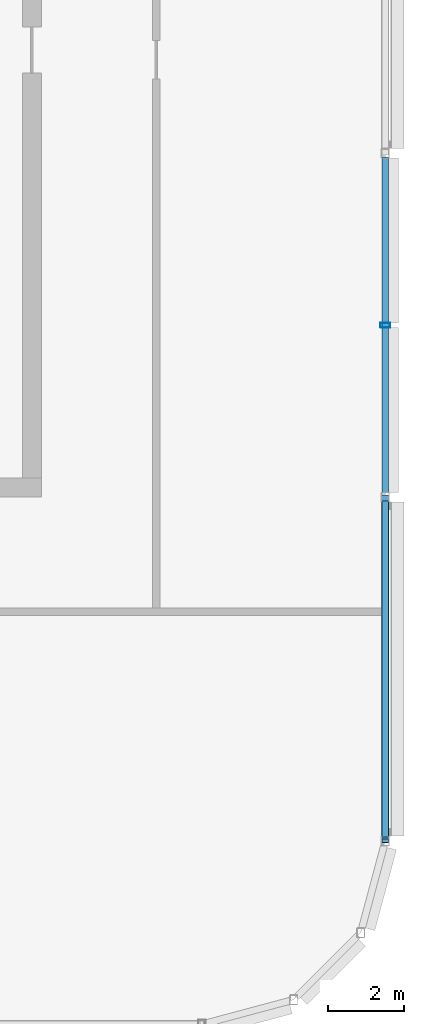
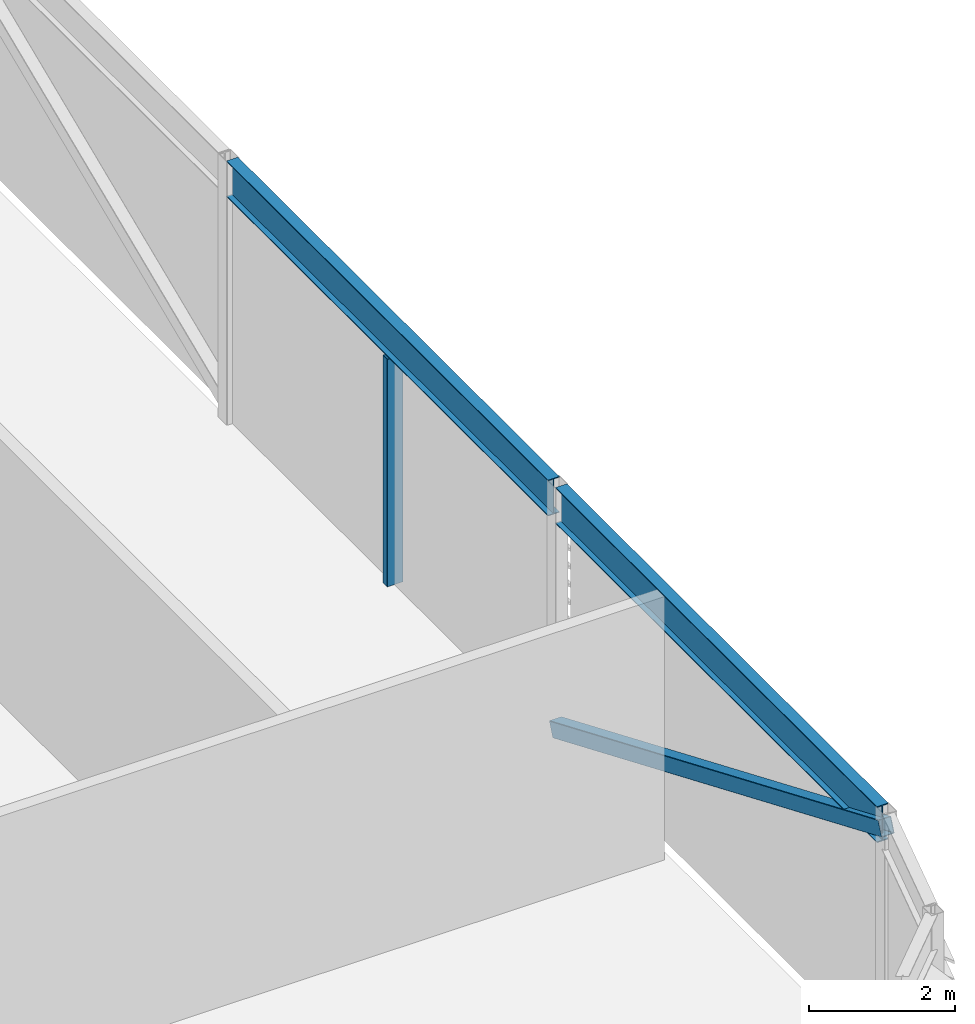
# One storey, part 9 of 27: 2 beams, 2 members.
"""IFC4 building model written with IfcOpenShell, lengths in metres."""

from ifc_helpers import new_model, si_unit, direction, frame, origin, origin_2d, place, context, subcontext, project, spatial, hollow_rectangle, i_section, extrude, material, material_profile, profile_set, type_object, element, save


model = new_model("IFC4")

# Units and contexts
model_context = context("Model", 3, precision=1e-05, world=origin(), true_north=direction((0.0, 1.0)))
body_context = subcontext(model_context, "Body", "Model", "MODEL_VIEW")
ifc_project = project(units=[si_unit("LENGTHUNIT", "METRE"), si_unit("AREAUNIT", "SQUARE_METRE"), si_unit("VOLUMEUNIT", "CUBIC_METRE"), si_unit("PLANEANGLEUNIT", "RADIAN"), si_unit("MASSUNIT", "GRAM", prefix="KILO")], contexts=[model_context])

# Site, building, storey
site_placement = place(None, origin())
site = spatial("IfcSite", under=ifc_project, at=site_placement, CompositionType="ELEMENT")
building_placement = place(site_placement, origin())
building = spatial("IfcBuilding", under=site, at=building_placement, Name="Madar Terraces", CompositionType="ELEMENT")
storey_placement = place(building_placement, frame((0.0, 0.0, 301.10009765625)))
storey = spatial("IfcBuildingStorey", under=building, at=storey_placement, Name="L78", CompositionType="ELEMENT", Elevation=301.10009765625)

# Beams
ifc_material_1 = material(Name="Steel ASTM A992 Grade 50", Category="steel")
ifc_material_profile_1 = material_profile(ifc_material_1, i_section(OverallWidth=0.1787109375, OverallDepth=0.60205078125, WebThickness=0.010986328125, FlangeThickness=0.014892578125, at=origin_2d()), Name="W24x62")
ifc_profile_set_1 = profile_set([ifc_material_profile_1], Name="Steel ASTM A992 Grade 50")
beam_type = type_object("IfcBeamType", Name="CF2 W24x62", PredefinedType="BEAM", material=ifc_profile_set_1)
for number, where, z_axis, x_axis, name in (
    (1, (56.39990234375, 6.1015625, 4.098876953125), (0.0, 1.0, 0.0), (-1.0, 0.0, 0.0), "Crown frame ring beam CF2"),
    (2, (56.39990234375, 15.1015625, 4.098876953125), (0.0, 1.0, 0.0), (-1.0, 0.0, 0.0), "Crown frame ring beam CF2"),
):
    element("IfcBeam", number, at=place(storey_placement, frame(where, z_axis=z_axis, x_axis=x_axis)), inside=storey, type_object=beam_type, Name=name, PredefinedType="BEAM", context=body_context, shape_type="SweptSolid", body=[
        extrude(i_section(OverallWidth=0.1787109375, OverallDepth=0.60205078125, WebThickness=0.010986328125, FlangeThickness=0.014892578125, at=origin_2d()), origin(), (0.0, 0.0, 1.0), 8.796875),
    ])

# Members
ifc_material_2 = material(Name="Steel ASTM A500 Grade C", Category="steel")
ifc_material_profile_2 = material_profile(ifc_material_2, hollow_rectangle(XDim=0.203125, YDim=0.25390625, WallThickness=0.009521484375, InnerFilletRadius=0.00439453125, OuterFilletRadius=0.01318359375, at=origin_2d()), Name="HSS10x8x.375")
ifc_profile_set_2 = profile_set([ifc_material_profile_2], Name="Steel ASTM A500 Grade C")
member_type_1 = type_object("IfcMemberType", Name="CF5 crown frame brace HSS10x8x.375", PredefinedType="BRACE", material=ifc_profile_set_2)
member_1_placement = place(storey_placement, frame((56.39990234375, 6.0, 4.098876953125), z_axis=(0.0, 0.921283588528, -0.388891436661), x_axis=(-1.0, 0.0, 0.0)))
element("IfcMember", 3, at=member_1_placement, inside=storey, type_object=member_type_1, Name="Crown frame brace CF5", PredefinedType="BRACE", context=body_context, shape_type="SweptSolid", body=[
    extrude(hollow_rectangle(XDim=0.203125, YDim=0.25390625, WallThickness=0.009521484375, InnerFilletRadius=0.00439453125, OuterFilletRadius=0.01318359375, at=origin_2d()), origin(), (0.0, 0.0, 1.0), 9.76904296875),
])
ifc_material_3 = material(Name="Steel ASTM A500 Grade C", Category="steel")
ifc_material_profile_3 = material_profile(ifc_material_3, hollow_rectangle(XDim=0.126953125, YDim=0.25390625, WallThickness=0.00634765625, InnerFilletRadius=0.0029296875, OuterFilletRadius=0.0087890625, at=origin_2d()), Name="HSS10x5x.25")
ifc_profile_set_3 = profile_set([ifc_material_profile_3], Name="Steel ASTM A500 Grade C")
member_type_2 = type_object("IfcMemberType", Name="LS2 HSS10x5x.25", PredefinedType="POST", material=ifc_profile_set_3)
member_2_placement = place(storey_placement, frame((56.39990234375, 19.5, 0.0), z_axis=(0.0, 0.0, 1.0), x_axis=(0.0, 1.0, 0.0)))
element("IfcMember", 4, at=member_2_placement, inside=storey, type_object=member_type_2, Name="Crown louvre post LS2", PredefinedType="POST", context=body_context, shape_type="SweptSolid", body=[
    extrude(hollow_rectangle(XDim=0.126953125, YDim=0.25390625, WallThickness=0.00634765625, InnerFilletRadius=0.0029296875, OuterFilletRadius=0.0087890625, at=origin_2d()), origin(), (0.0, 0.0, 1.0), 3.7978515625),
])

save(model, "model.ifc")
